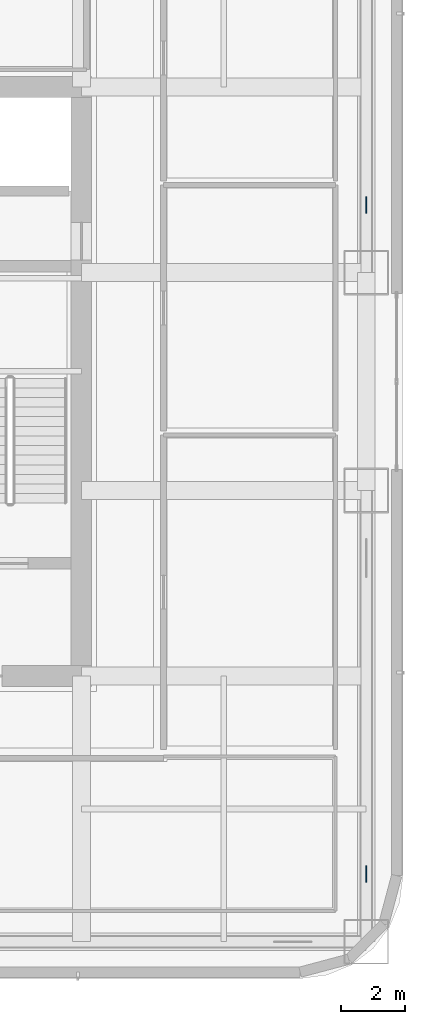
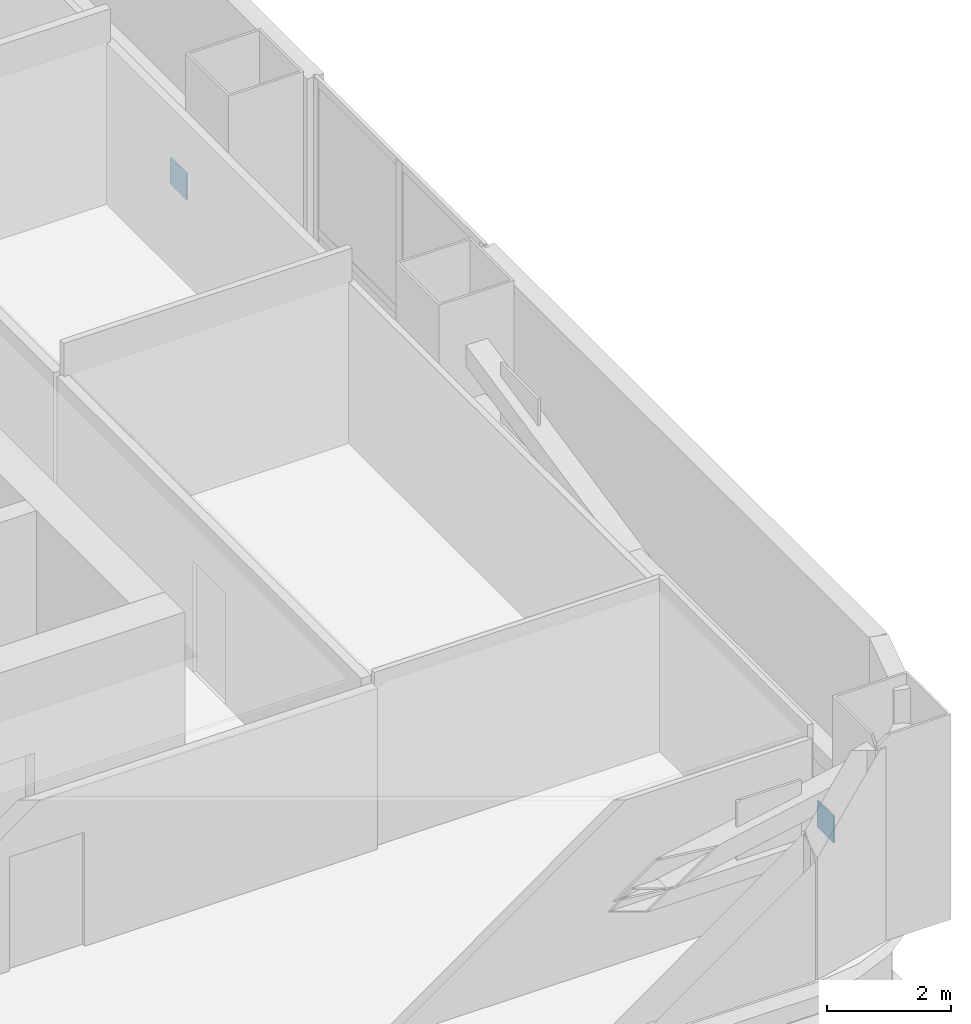
# One storey, part 11 of 32: 2 plates.
"""IFC4 building model written with IfcOpenShell, lengths in metres."""

from ifc_helpers import new_model, si_unit, direction, frame, origin, origin_2d, place, context, subcontext, project, spatial, rectangle, extrude, material, layer, layer_set, type_object, element, save


model = new_model("IFC4")

# Units and contexts
model_context = context("Model", 3, precision=1e-05, world=origin(), true_north=direction((0.0, 1.0)))
body_context = subcontext(model_context, "Body", "Model", "MODEL_VIEW")
ifc_project = project(units=[si_unit("LENGTHUNIT", "METRE"), si_unit("AREAUNIT", "SQUARE_METRE"), si_unit("VOLUMEUNIT", "CUBIC_METRE"), si_unit("PLANEANGLEUNIT", "RADIAN"), si_unit("MASSUNIT", "GRAM", prefix="KILO")], contexts=[model_context])

# Site, building, storey
site_placement = place(None, origin())
site = spatial("IfcSite", under=ifc_project, at=site_placement, CompositionType="ELEMENT")
building_placement = place(site_placement, origin())
building = spatial("IfcBuilding", under=site, at=building_placement, Name="Punatoya Terracotta Tower", CompositionType="ELEMENT")
storey_placement = place(building_placement, frame((0.0, 0.0, 139.800048828125)))
storey = spatial("IfcBuildingStorey", under=building, at=storey_placement, Name="L32", CompositionType="ELEMENT", Elevation=139.800048828125)

# Plates
ifc_material = material(Name="Steel S460", Category="steel")
ifc_layer = layer(ifc_material, 0.031982421875)
ifc_layer_set = layer_set([ifc_layer], Name="Steel S460")
plate_type = type_object("IfcPlateType", Name="PLT-END-32", PredefinedType="USERDEFINED", material=ifc_layer_set)
for number, where, z_axis, x_axis, name in (
    (1, (19.10009765625, -15.385009765625, 0.21142578125), (0.0, 0.0, 1.0), (0.0, 1.0, 0.0), "L32 Exoskeleton Base Node Plate E1"),
    (2, (19.10009765625, 5.514892578125, 0.21142578125), (0.0, 0.0, 1.0), (0.0, 1.0, 0.0), "L32 Exoskeleton Base Node Plate E3"),
):
    element("IfcPlate", number, at=place(storey_placement, frame(where, z_axis=z_axis, x_axis=x_axis)), inside=storey, type_object=plate_type, Name=name, ObjectType="FLANGE_PLATE", PredefinedType="USERDEFINED", context=body_context, shape_type="SweptSolid", body=[
        extrude(rectangle(XDim=0.52001953125, YDim=0.031982421875, at=origin_2d()), origin(), (0.0, 0.0, 1.0), 0.52001953125),
    ])

save(model, "model.ifc")
